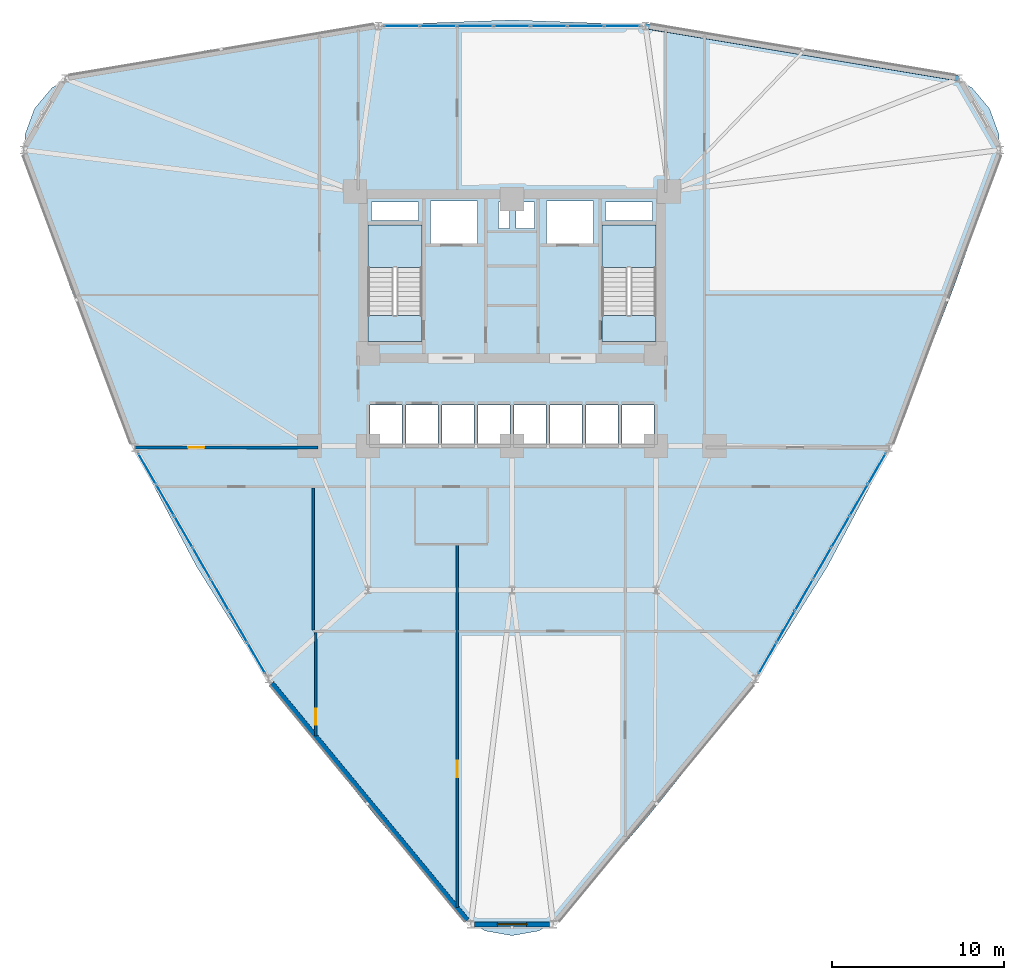
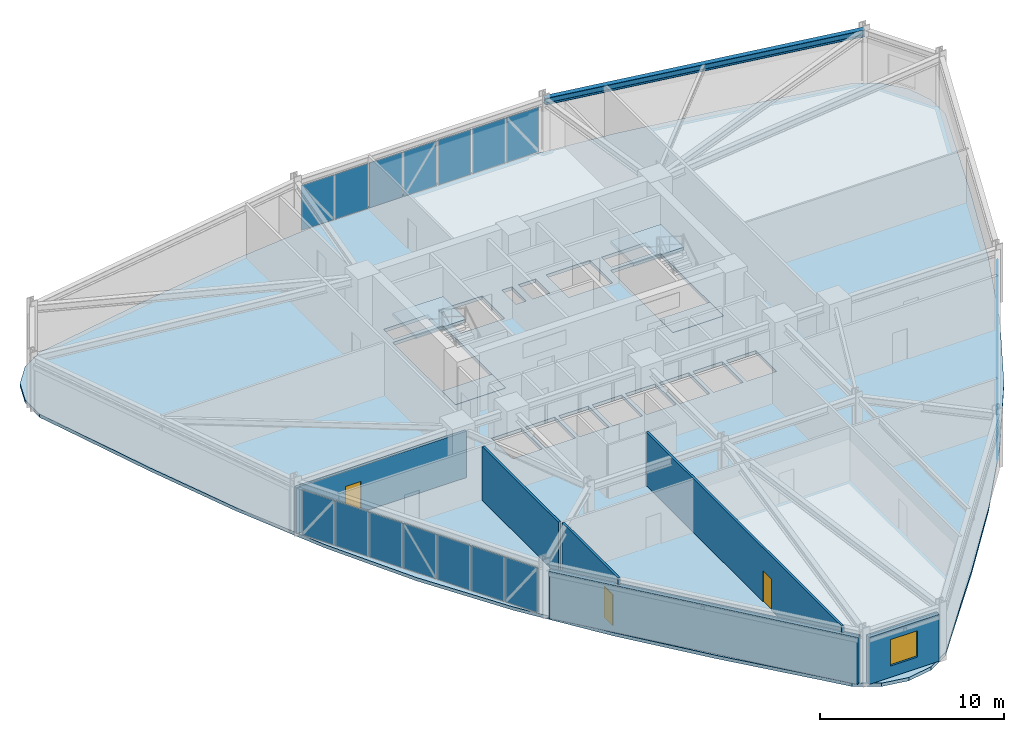
# One storey, part 15 of 22: 21 plates, 6 walls, 5 slabs, 3 doors, 1 beam, 1 window, 4 openings, 5 elements without a shape of their own.
"""IFC4 building model written with IfcOpenShell, lengths in metres."""

from ifc_helpers import new_model, si_unit, derived_unit, direction, frame, frame_2d, origin, origin_2d, place, context, subcontext, project, spatial, polyline, rectangle, i_section, outline, extrude, source, transform, mapped, material, layer, layer_set, material_profile, profile_set, type_object, element, fill, aggregate, save


model = new_model("IFC4")

# Units and contexts
model_context = context("Model", 3, precision=1e-05, world=origin(), true_north=direction((0.0, 1.0)))
body_context = subcontext(model_context, "Body", "Model", "MODEL_VIEW")
ifc_project = project(units=[si_unit("LENGTHUNIT", "METRE"), si_unit("AREAUNIT", "SQUARE_METRE"), si_unit("VOLUMEUNIT", "CUBIC_METRE"), si_unit("PLANEANGLEUNIT", "RADIAN"), si_unit("MASSUNIT", "GRAM", prefix="KILO"), derived_unit("THERMALTRANSMITTANCEUNIT", [(si_unit("POWERUNIT", "WATT"), 1), (si_unit("LENGTHUNIT", "METRE"), -2), (si_unit("THERMODYNAMICTEMPERATUREUNIT", "KELVIN"), -1)])], contexts=[model_context])

# Site, building, storey
site_placement = place(None, origin())
site = spatial("IfcSite", under=ifc_project, at=site_placement, CompositionType="ELEMENT")
building_placement = place(site_placement, origin())
building = spatial("IfcBuilding", under=site, at=building_placement, Name="Korsvarv Bourse and Concert Hall", CompositionType="ELEMENT")
storey_placement = place(building_placement, frame((0.0, 0.0, 55.199951171875)))
storey = spatial("IfcBuildingStorey", under=building, at=storey_placement, Name="L13", CompositionType="ELEMENT", Elevation=55.199951171875)

# Beam
ifc_material_1 = material(Name="Steel S355", Category="steel")
ifc_material_profile = material_profile(ifc_material_1, i_section(OverallWidth=0.300048828125, OverallDepth=0.449951171875, WebThickness=0.013916015625, FlangeThickness=0.02587890625, FilletRadius=0.02099609375, at=origin_2d()), Name="HEB 450")
ifc_profile_set = profile_set([ifc_material_profile], Name="Steel S355")
beam_type = type_object("IfcBeamType", Name="BM-HEB450", PredefinedType="SPANDREL", material=ifc_profile_set)
shared_shape_1 = source(origin(), body_context, "Body", "SweptSolid", [
    extrude(i_section(OverallWidth=0.300048828125, OverallDepth=0.449951171875, WebThickness=0.013916015625, FlangeThickness=0.02587890625, FilletRadius=0.02099609375, at=origin_2d()), origin(), (0.0, 0.0, 1.0), 18.538818359375),
])
beam_placement = place(storey_placement, frame((62.069091796875, 53.82861328125, 3.3349609375), z_axis=(-0.98627657502, 0.16510153714, 0.0), x_axis=(-0.16510153714, -0.98627657502, 0.0)))
element("IfcBeam", 1, at=beam_placement, inside=storey, type_object=beam_type, Name="L13 beam B-08", PredefinedType="SPANDREL", context=body_context, shape_type="MappedRepresentation", body=[
    mapped(shared_shape_1, transform((0.0, 0.0, 0.0), scale=1.0)),
])

# Slabs
ifc_material_2 = material(Name="Precast concrete C45/55", Category="concrete")
ifc_layer_1 = layer(ifc_material_2, 0.199951171875)
ifc_layer_set_1 = layer_set([ifc_layer_1], Name="Precast concrete C45/55")
slab_type_1 = type_object("IfcSlabType", Name="SLB-FLND-T", PredefinedType="LANDING", material=ifc_layer_set_1)
slab_1_placement = place(storey_placement, frame((0.0, 0.0, -0.199951171875)))
element("IfcSlab", 2, at=slab_1_placement, inside=storey, type_object=slab_type_1, Name="L13 Stair ST-T1 Floor Landing Slab", PredefinedType="LANDING", context=body_context, shape_type="SweptSolid", body=[
    extrude(outline(polyline([(30.760009765625, 38.5), (30.760009765625, 40.0), (27.60009765625, 40.0), (27.60009765625, 38.5), (30.760009765625, 38.5)])), origin(), (0.0, 0.0, 1.0), 0.199951171875),
])
slab_2_placement = place(storey_placement, frame((0.0, 0.0, -0.199951171875)))
element("IfcSlab", 3, at=slab_2_placement, inside=storey, type_object=slab_type_1, Name="L13 Stair ST-T2 Floor Landing Slab", PredefinedType="LANDING", context=body_context, shape_type="SweptSolid", body=[
    extrude(outline(polyline([(44.39990234375, 38.5), (44.39990234375, 40.0), (41.239990234375, 40.0), (41.239990234375, 38.5), (44.39990234375, 38.5)])), origin(), (0.0, 0.0, 1.0), 0.199951171875),
])

# Stair, slab
stair_type = type_object("IfcStairType", Name="STR-TYPE-03", PredefinedType="HALF_TURN_STAIR", material=ifc_material_2)
stair_1_placement = place(storey_placement, origin())
stair_1 = element("IfcStair", 4, at=stair_1_placement, inside=storey, type_object=stair_type, Name="L13 Tower West Exit Stair ST-T1", PredefinedType="HALF_TURN_STAIR")
ifc_layer_2 = layer(ifc_material_2, 0.199951171875)
ifc_layer_set_2 = layer_set([ifc_layer_2], Name="Precast concrete C45/55")
slab_type_2 = type_object("IfcSlabType", Name="SLB-ST-LND", PredefinedType="LANDING", material=ifc_layer_set_2)
slab_3_placement = place(storey_placement, frame((0.0, 0.0, 1.75)))
slab_3 = element("IfcSlab", 5, at=slab_3_placement, type_object=slab_type_2, Name="ST-T1 landing 1", PredefinedType="LANDING", context=body_context, shape_type="SweptSolid", body=[
    extrude(outline(polyline([(30.760009765625, 42.800048828125), (30.760009765625, 45.300048828125), (27.60009765625, 45.300048828125), (27.60009765625, 42.800048828125), (30.760009765625, 42.800048828125)])), origin(), (0.0, 0.0, 1.0), 0.199951171875),
])
aggregate(stair_1, [slab_3])

stair_2_placement = place(storey_placement, origin())
stair_2 = element("IfcStair", 6, at=stair_2_placement, inside=storey, type_object=stair_type, Name="L13 Tower East Exit Stair ST-T2", PredefinedType="HALF_TURN_STAIR")
slab_4_placement = place(storey_placement, frame((0.0, 0.0, 1.75)))
slab_4 = element("IfcSlab", 7, at=slab_4_placement, type_object=slab_type_2, Name="ST-T2 landing 1", PredefinedType="LANDING", context=body_context, shape_type="SweptSolid", body=[
    extrude(outline(polyline([(44.39990234375, 42.800048828125), (44.39990234375, 45.300048828125), (41.239990234375, 45.300048828125), (41.239990234375, 42.800048828125), (44.39990234375, 42.800048828125)])), origin(), (0.0, 0.0, 1.0), 0.199951171875),
])
aggregate(stair_2, [slab_4])

# Slab
ifc_material_3 = material(Name="Concrete C45/55", Category="concrete")
ifc_layer_3 = layer(ifc_material_3, 0.219970703125)
ifc_layer_set_3 = layer_set([ifc_layer_3], Name="Concrete C45/55")
slab_type_3 = type_object("IfcSlabType", Name="SLB-TW1", PredefinedType="FLOOR", material=ifc_layer_set_3)
slab_5_placement = place(storey_placement, frame((0.0, 0.0, -0.219970703125)))
element("IfcSlab", 8, at=slab_5_placement, inside=storey, type_object=slab_type_3, Name="L13 tower structural floor slab", PredefinedType="FLOOR", context=body_context, shape_type="SweptSolid", body=[
    extrude(outline(polyline([(63.784912109375, 47.35888671875), (61.7548828125, 41.6484375), (59.58837890625, 36.04248046875), (57.162841796875, 30.6064453125), (54.39501953125, 25.379638671875), (51.25244140625, 20.369140625), (47.757568359375, 15.550537109375), (43.985595703125, 10.871337890625), (40.05517578125, 6.258056640625), (40.05078125, 6.253173828125), (38.9326171875, 4.92041015625), (37.560546875, 4.128173828125), (36.0, 3.85302734375), (34.439453125, 4.128173828125), (33.0673828125, 4.92041015625), (31.94921875, 6.253173828125), (31.94482421875, 6.258056640625), (28.014404296875, 10.871337890625), (24.242431640625, 15.550537109375), (20.74755859375, 20.369140625), (17.60498046875, 25.379638671875), (14.837158203125, 30.6064453125), (12.41162109375, 36.04248046875), (10.2451171875, 41.6484375), (8.215087890625, 47.35888671875), (8.212890625, 47.365234375), (7.617919921875, 49.0), (7.617919921875, 50.58447265625), (8.159912109375, 52.073486328125), (9.178466796875, 53.287353515625), (10.550537109375, 54.07958984375), (12.263916015625, 54.381591796875), (12.270263671875, 54.3828125), (18.230712890625, 55.480224609375), (24.169189453125, 56.406982421875), (30.089599609375, 57.0244140625), (36.0, 57.24072265625), (41.910400390625, 57.0244140625), (47.830810546875, 56.406982421875), (53.769287109375, 55.480224609375), (59.729736328125, 54.3828125), (59.736083984375, 54.381591796875), (61.449462890625, 54.07958984375), (62.821533203125, 53.287353515625), (63.840087890625, 52.073486328125), (64.382080078125, 50.58447265625), (64.382080078125, 49.0), (63.787109375, 47.365234375), (63.784912109375, 47.35888671875)]), holes=[polyline([(30.760009765625, 38.5), (30.760009765625, 45.300048828125), (27.60009765625, 45.300048828125), (27.60009765625, 38.5), (30.760009765625, 38.5)]), polyline([(44.39990234375, 38.5), (44.39990234375, 45.300048828125), (41.239990234375, 45.300048828125), (41.239990234375, 38.5), (44.39990234375, 38.5)]), polyline([(31.239990234375, 44.219970703125), (34.0, 44.219970703125), (34.0, 46.679931640625), (31.239990234375, 46.679931640625), (31.239990234375, 44.219970703125)]), polyline([(38.0, 44.219970703125), (40.760009765625, 44.219970703125), (40.760009765625, 46.679931640625), (38.0, 46.679931640625), (38.0, 44.219970703125)]), polyline([(27.719970703125, 32.52001953125), (29.580078125, 32.52001953125), (29.580078125, 34.780029296875), (27.719970703125, 34.780029296875), (27.719970703125, 32.52001953125)]), polyline([(29.820068359375, 32.52001953125), (31.679931640625, 32.52001953125), (31.679931640625, 34.780029296875), (29.820068359375, 34.780029296875), (29.820068359375, 32.52001953125)]), polyline([(31.919921875, 32.52001953125), (33.780029296875, 32.52001953125), (33.780029296875, 34.780029296875), (31.919921875, 34.780029296875), (31.919921875, 32.52001953125)]), polyline([(34.02001953125, 32.52001953125), (35.8798828125, 32.52001953125), (35.8798828125, 34.780029296875), (34.02001953125, 34.780029296875), (34.02001953125, 32.52001953125)]), polyline([(36.1201171875, 32.52001953125), (37.97998046875, 32.52001953125), (37.97998046875, 34.780029296875), (36.1201171875, 34.780029296875), (36.1201171875, 32.52001953125)]), polyline([(38.219970703125, 32.52001953125), (40.080078125, 32.52001953125), (40.080078125, 34.780029296875), (38.219970703125, 34.780029296875), (38.219970703125, 32.52001953125)]), polyline([(40.320068359375, 32.52001953125), (42.179931640625, 32.52001953125), (42.179931640625, 34.780029296875), (40.320068359375, 34.780029296875), (40.320068359375, 32.52001953125)]), polyline([(42.419921875, 32.52001953125), (44.280029296875, 32.52001953125), (44.280029296875, 34.780029296875), (42.419921875, 34.780029296875), (42.419921875, 32.52001953125)]), polyline([(27.800048828125, 45.56005859375), (30.56005859375, 45.56005859375), (30.56005859375, 46.6201171875), (27.800048828125, 46.6201171875), (27.800048828125, 45.56005859375)]), polyline([(41.43994140625, 45.56005859375), (44.199951171875, 45.56005859375), (44.199951171875, 46.6201171875), (41.43994140625, 46.6201171875), (41.43994140625, 45.56005859375)]), polyline([(35.199951171875, 45.080078125), (35.840087890625, 45.080078125), (35.840087890625, 46.6201171875), (35.199951171875, 46.6201171875), (35.199951171875, 45.080078125)]), polyline([(36.239990234375, 45.080078125), (37.320068359375, 45.080078125), (37.320068359375, 46.6201171875), (36.239990234375, 46.6201171875), (36.239990234375, 45.080078125)])]), origin(), (0.0, 0.0, 1.0), 0.219970703125),
])

# Curtain wall, plates
ifc_material_4 = material(Name="Anodised aluminium and triple low-E glazing", Category="glass")
ifc_layer_4 = layer(ifc_material_4, 0.219970703125)
ifc_layer_set_4 = layer_set([ifc_layer_4], Name="Anodised aluminium and triple low-E glazing")
curtain_wall_type = type_object("IfcCurtainWallType", Name="CW-SYS-1", PredefinedType="NOTDEFINED", material=ifc_layer_set_4)
curtain_wall_1_placement = place(storey_placement, origin())
curtain_wall_1 = element("IfcCurtainWall", 9, at=curtain_wall_1_placement, inside=storey, type_object=curtain_wall_type, Name="L13 CW1 curtain wall CW-L13-F03", PredefinedType="NOTDEFINED")
ifc_material_5 = material(Name="Insulated spandrel glass", Category="glass")
ifc_layer_5 = layer(ifc_material_5, 0.031982421875)
ifc_layer_set_5 = layer_set([ifc_layer_5], Name="Insulated spandrel glass")
plate_type_1 = type_object("IfcPlateType", Name="CWP-SPD1", PredefinedType="CURTAIN_PANEL", material=ifc_layer_set_5)
shared_shape_2 = source(origin(), body_context, "Body", "SweptSolid", [
    extrude(rectangle(XDim=2.04443359375, YDim=0.031982421875, at=origin_2d()), origin(), (0.0, 0.0, 1.0), 2.97998046875),
])
plate_1_placement = place(storey_placement, frame((42.430419921875, 56.889404296875, 0.06494140625), z_axis=(0.0, 0.0, 1.0), x_axis=(-1.0, 0.0, 0.0)))
plate_1 = element("IfcPlate", 10, at=plate_1_placement, type_object=plate_type_1, Name="CW1 spandrel shadow-box panel 1.1", PredefinedType="CURTAIN_PANEL", context=body_context, shape_type="MappedRepresentation", body=[
    mapped(shared_shape_2, transform((0.0, 0.0, 0.0), scale=1.0)),
])
plate_2_placement = place(storey_placement, frame((29.569580078125, 56.889404296875, 0.06494140625), z_axis=(0.0, 0.0, 1.0), x_axis=(-1.0, 0.0, 0.0)))
plate_2 = element("IfcPlate", 11, at=plate_2_placement, type_object=plate_type_1, Name="CW1 spandrel shadow-box panel 7.1", PredefinedType="CURTAIN_PANEL", context=body_context, shape_type="MappedRepresentation", body=[
    mapped(shared_shape_2, transform((0.0, 0.0, 0.0), scale=1.0)),
])
ifc_material_6 = material(Name="Tempered triple insulated low-E architectural glass", Category="glass")
ifc_layer_6 = layer(ifc_material_6, 0.035888671875)
ifc_layer_set_6 = layer_set([ifc_layer_6], Name="Tempered triple insulated low-E architectural glass")
plate_type_2 = type_object("IfcPlateType", Name="CWP-VIS1", PredefinedType="CURTAIN_PANEL", material=ifc_layer_set_6)
shared_shape_3 = source(origin(), body_context, "Body", "SweptSolid", [
    extrude(rectangle(XDim=2.079345703125, YDim=0.035888671875, at=origin_2d()), origin(), (0.0, 0.0, 1.0), 2.97998046875),
])
plate_3_placement = place(storey_placement, frame((40.298583984375, 56.889404296875, 0.06494140625), z_axis=(0.0, 0.0, 1.0), x_axis=(-1.0, 0.0, 0.0)))
plate_3 = element("IfcPlate", 12, at=plate_3_placement, type_object=plate_type_2, Name="CW1 faceted panel 2.1", PredefinedType="CURTAIN_PANEL", context=body_context, shape_type="MappedRepresentation", body=[
    mapped(shared_shape_3, transform((0.0, 0.0, 0.0), scale=1.0)),
])
plate_4_placement = place(storey_placement, frame((38.1494140625, 56.889404296875, 0.06494140625), z_axis=(0.0, 0.0, 1.0), x_axis=(-1.0, 0.0, 0.0)))
plate_4 = element("IfcPlate", 13, at=plate_4_placement, type_object=plate_type_2, Name="CW1 faceted panel 3.1", PredefinedType="CURTAIN_PANEL", context=body_context, shape_type="MappedRepresentation", body=[
    mapped(shared_shape_3, transform((0.0, 0.0, 0.0), scale=1.0)),
])
plate_5_placement = place(storey_placement, frame((33.8505859375, 56.889404296875, 0.06494140625), z_axis=(0.0, 0.0, 1.0), x_axis=(-1.0, 0.0, 0.0)))
plate_5 = element("IfcPlate", 14, at=plate_5_placement, type_object=plate_type_2, Name="CW1 faceted panel 5.1", PredefinedType="CURTAIN_PANEL", context=body_context, shape_type="MappedRepresentation", body=[
    mapped(shared_shape_3, transform((0.0, 0.0, 0.0), scale=1.0)),
])
plate_6_placement = place(storey_placement, frame((31.701416015625, 56.889404296875, 0.06494140625), z_axis=(0.0, 0.0, 1.0), x_axis=(-1.0, 0.0, 0.0)))
plate_6 = element("IfcPlate", 15, at=plate_6_placement, type_object=plate_type_2, Name="CW1 faceted panel 6.1", PredefinedType="CURTAIN_PANEL", context=body_context, shape_type="MappedRepresentation", body=[
    mapped(shared_shape_3, transform((0.0, 0.0, 0.0), scale=1.0)),
])
shared_shape_4 = source(origin(), body_context, "Body", "SweptSolid", [
    extrude(rectangle(XDim=2.079345703125, YDim=0.031982421875, at=origin_2d()), origin(), (0.0, 0.0, 1.0), 2.97998046875),
])
plate_7_placement = place(storey_placement, frame((36.0, 56.889404296875, 0.06494140625), z_axis=(0.0, 0.0, 1.0), x_axis=(-1.0, 0.0, 0.0)))
plate_7 = element("IfcPlate", 16, at=plate_7_placement, type_object=plate_type_1, Name="CW1 spandrel shadow-box panel 4.1", PredefinedType="CURTAIN_PANEL", context=body_context, shape_type="MappedRepresentation", body=[
    mapped(shared_shape_4, transform((0.0, 0.0, 0.0), scale=1.0)),
])
aggregate(curtain_wall_1, [plate_1, plate_3, plate_4, plate_7, plate_5, plate_6, plate_2])

curtain_wall_2_placement = place(storey_placement, origin())
curtain_wall_2 = element("IfcCurtainWall", 17, at=curtain_wall_2_placement, inside=storey, type_object=curtain_wall_type, Name="L13 CW1 curtain wall CW-L13-F07", PredefinedType="NOTDEFINED")
shared_shape_5 = source(origin(), body_context, "Body", "SweptSolid", [
    extrude(rectangle(XDim=2.0244140625, YDim=0.031982421875, at=origin_2d()), origin(), (0.0, 0.0, 1.0), 2.97998046875),
])
plate_8_placement = place(storey_placement, frame((14.7236328125, 31.07275390625, 0.06494140625), z_axis=(0.0, 0.0, 1.0), x_axis=(0.499999833962, -0.866025499647, 0.0)))
plate_8 = element("IfcPlate", 18, at=plate_8_placement, type_object=plate_type_1, Name="CW1 spandrel shadow-box panel 1.1", PredefinedType="CURTAIN_PANEL", context=body_context, shape_type="MappedRepresentation", body=[
    mapped(shared_shape_5, transform((0.0, 0.0, 0.0), scale=1.0)),
])
plate_9_placement = place(storey_placement, frame((21.0947265625, 20.037841796875, 0.06494140625), z_axis=(0.0, 0.0, 1.0), x_axis=(0.499999833962, -0.866025499647, 0.0)))
plate_9 = element("IfcPlate", 19, at=plate_9_placement, type_object=plate_type_1, Name="CW1 spandrel shadow-box panel 7.1", PredefinedType="CURTAIN_PANEL", context=body_context, shape_type="MappedRepresentation", body=[
    mapped(shared_shape_5, transform((0.0, 0.0, 0.0), scale=1.0)),
])

curtain_wall_3_placement = place(storey_placement, origin())
curtain_wall_3 = element("IfcCurtainWall", 20, at=curtain_wall_3_placement, inside=storey, type_object=curtain_wall_type, Name="L13 CW1 curtain wall CW-L13-F11", PredefinedType="NOTDEFINED")
plate_10_placement = place(storey_placement, frame((50.9052734375, 20.037841796875, 0.06494140625), z_axis=(0.0, 0.0, 1.0), x_axis=(0.499999833962, 0.866025499647, 0.0)))
plate_10 = element("IfcPlate", 21, at=plate_10_placement, type_object=plate_type_1, Name="CW1 spandrel shadow-box panel 1.1", PredefinedType="CURTAIN_PANEL", context=body_context, shape_type="MappedRepresentation", body=[
    mapped(shared_shape_5, transform((0.0, 0.0, 0.0), scale=1.0)),
])
plate_11_placement = place(storey_placement, frame((57.2763671875, 31.07275390625, 0.06494140625), z_axis=(0.0, 0.0, 1.0), x_axis=(0.499999833962, 0.866025499647, 0.0)))
plate_11 = element("IfcPlate", 22, at=plate_11_placement, type_object=plate_type_1, Name="CW1 spandrel shadow-box panel 7.1", PredefinedType="CURTAIN_PANEL", context=body_context, shape_type="MappedRepresentation", body=[
    mapped(shared_shape_5, transform((0.0, 0.0, 0.0), scale=1.0)),
])

# Plate
shared_shape_6 = source(origin(), body_context, "Body", "SweptSolid", [
    extrude(rectangle(XDim=2.0595703125, YDim=0.035888671875, at=origin_2d()), origin(), (0.0, 0.0, 1.0), 2.97998046875),
])
plate_12_placement = place(storey_placement, frame((15.779541015625, 29.24365234375, 0.06494140625), z_axis=(0.0, 0.0, 1.0), x_axis=(0.499999833962, -0.866025499647, 0.0)))
plate_12 = element("IfcPlate", 23, at=plate_12_placement, type_object=plate_type_2, Name="CW1 faceted panel 2.1", PredefinedType="CURTAIN_PANEL", context=body_context, shape_type="MappedRepresentation", body=[
    mapped(shared_shape_6, transform((0.0, 0.0, 0.0), scale=1.0)),
])

plate_13_placement = place(storey_placement, frame((16.844482421875, 27.3994140625, 0.06494140625), z_axis=(0.0, 0.0, 1.0), x_axis=(0.499999833962, -0.866025499647, 0.0)))
plate_13 = element("IfcPlate", 24, at=plate_13_placement, type_object=plate_type_2, Name="CW1 faceted panel 3.1", PredefinedType="CURTAIN_PANEL", context=body_context, shape_type="MappedRepresentation", body=[
    mapped(shared_shape_6, transform((0.0, 0.0, 0.0), scale=1.0)),
])

plate_14_placement = place(storey_placement, frame((18.973876953125, 23.7109375, 0.06494140625), z_axis=(0.0, 0.0, 1.0), x_axis=(0.499999833962, -0.866025499647, 0.0)))
plate_14 = element("IfcPlate", 25, at=plate_14_placement, type_object=plate_type_2, Name="CW1 faceted panel 5.1", PredefinedType="CURTAIN_PANEL", context=body_context, shape_type="MappedRepresentation", body=[
    mapped(shared_shape_6, transform((0.0, 0.0, 0.0), scale=1.0)),
])

plate_15_placement = place(storey_placement, frame((20.03857421875, 21.866943359375, 0.06494140625), z_axis=(0.0, 0.0, 1.0), x_axis=(0.499999833962, -0.866025499647, 0.0)))
plate_15 = element("IfcPlate", 26, at=plate_15_placement, type_object=plate_type_2, Name="CW1 faceted panel 6.1", PredefinedType="CURTAIN_PANEL", context=body_context, shape_type="MappedRepresentation", body=[
    mapped(shared_shape_6, transform((0.0, 0.0, 0.0), scale=1.0)),
])

plate_16_placement = place(storey_placement, frame((51.96142578125, 21.866943359375, 0.06494140625), z_axis=(0.0, 0.0, 1.0), x_axis=(0.499999833962, 0.866025499647, 0.0)))
plate_16 = element("IfcPlate", 27, at=plate_16_placement, type_object=plate_type_2, Name="CW1 faceted panel 2.1", PredefinedType="CURTAIN_PANEL", context=body_context, shape_type="MappedRepresentation", body=[
    mapped(shared_shape_6, transform((0.0, 0.0, 0.0), scale=1.0)),
])

plate_17_placement = place(storey_placement, frame((53.026123046875, 23.7109375, 0.06494140625), z_axis=(0.0, 0.0, 1.0), x_axis=(0.499999833962, 0.866025499647, 0.0)))
plate_17 = element("IfcPlate", 28, at=plate_17_placement, type_object=plate_type_2, Name="CW1 faceted panel 3.1", PredefinedType="CURTAIN_PANEL", context=body_context, shape_type="MappedRepresentation", body=[
    mapped(shared_shape_6, transform((0.0, 0.0, 0.0), scale=1.0)),
])

plate_18_placement = place(storey_placement, frame((55.155517578125, 27.3994140625, 0.06494140625), z_axis=(0.0, 0.0, 1.0), x_axis=(0.499999833962, 0.866025499647, 0.0)))
plate_18 = element("IfcPlate", 29, at=plate_18_placement, type_object=plate_type_2, Name="CW1 faceted panel 5.1", PredefinedType="CURTAIN_PANEL", context=body_context, shape_type="MappedRepresentation", body=[
    mapped(shared_shape_6, transform((0.0, 0.0, 0.0), scale=1.0)),
])

plate_19_placement = place(storey_placement, frame((56.220458984375, 29.24365234375, 0.06494140625), z_axis=(0.0, 0.0, 1.0), x_axis=(0.499999833962, 0.866025499647, 0.0)))
plate_19 = element("IfcPlate", 30, at=plate_19_placement, type_object=plate_type_2, Name="CW1 faceted panel 6.1", PredefinedType="CURTAIN_PANEL", context=body_context, shape_type="MappedRepresentation", body=[
    mapped(shared_shape_6, transform((0.0, 0.0, 0.0), scale=1.0)),
])

shared_shape_7 = source(origin(), body_context, "Body", "SweptSolid", [
    extrude(rectangle(XDim=2.0595703125, YDim=0.031982421875, at=origin_2d()), origin(), (0.0, 0.0, 1.0), 2.97998046875),
])
plate_20_placement = place(storey_placement, frame((17.9091796875, 25.55517578125, 0.06494140625), z_axis=(0.0, 0.0, 1.0), x_axis=(0.499999833962, -0.866025499647, 0.0)))
plate_20 = element("IfcPlate", 31, at=plate_20_placement, type_object=plate_type_1, Name="CW1 spandrel shadow-box panel 4.1", PredefinedType="CURTAIN_PANEL", context=body_context, shape_type="MappedRepresentation", body=[
    mapped(shared_shape_7, transform((0.0, 0.0, 0.0), scale=1.0)),
])

aggregate(curtain_wall_2, [plate_8, plate_12, plate_13, plate_20, plate_14, plate_15, plate_9])

plate_21_placement = place(storey_placement, frame((54.0908203125, 25.55517578125, 0.06494140625), z_axis=(0.0, 0.0, 1.0), x_axis=(0.499999833962, 0.866025499647, 0.0)))
plate_21 = element("IfcPlate", 32, at=plate_21_placement, type_object=plate_type_1, Name="CW1 spandrel shadow-box panel 4.1", PredefinedType="CURTAIN_PANEL", context=body_context, shape_type="MappedRepresentation", body=[
    mapped(shared_shape_7, transform((0.0, 0.0, 0.0), scale=1.0)),
])

aggregate(curtain_wall_3, [plate_10, plate_16, plate_17, plate_21, plate_18, plate_19, plate_11])

# Wall, opening, window
ifc_material_7 = material(Name="Precast concrete C45/55 with terracotta rainscreen", Category="concrete")
ifc_layer_7 = layer(ifc_material_7, 0.300048828125)
ifc_layer_set_7 = layer_set([ifc_layer_7], Name="Precast concrete C45/55 with terracotta rainscreen")
wall_type_1 = type_object("IfcWallType", Name="WL-EXT-TC1", PredefinedType="SOLIDWALL", material=ifc_layer_set_7)
wall_1_placement = place(storey_placement, frame((33.811767578125, 4.509033203125, 0.0), z_axis=(0.0, 0.0, 1.0), x_axis=(1.0, 0.0, 0.0)))
wall_1 = element("IfcWall", 33, at=wall_1_placement, inside=storey, type_object=wall_type_1, Name="L13 terracotta exterior wall EW-L13-B09", PredefinedType="SOLIDWALL", context=body_context, shape_type="SweptSolid", body=[
    extrude(rectangle(XDim=4.37646484375, YDim=0.300048828125, at=frame_2d((2.188232421875, 0.0))), origin(), (0.0, 0.0, 1.0), 3.110107421875),
])
opening_1_placement = place(wall_1_placement, frame((1.33837890625, 0.0, 0.75)))
opening_1 = element("IfcOpeningElement", 34, at=opening_1_placement, cuts=wall_1, Name="Opening W-01", PredefinedType="OPENING", context=body_context, shape_type="SweptSolid", body=[
    extrude(rectangle(XDim=1.699951171875, YDim=1.75, at=frame_2d((0.85009765625, 0.875))), frame((0.0, 0.16015625, 0.0), z_axis=(0.0, -1.0, 0.0), x_axis=(1.0, 0.0, 0.0)), (0.0, 0.0, 1.0), 0.320068359375),
])
ifc_material_8 = material(Name="Thermally broken aluminium frame with triple low-E glass", Category="glass")
window_type = type_object("IfcWindowType", Name="WIN-TW1", PartitioningType="SINGLE_PANEL", PredefinedType="WINDOW", material=ifc_material_8)
window_placement = place(opening_1_placement, origin())
window = element("IfcWindow", 35, at=window_placement, inside=storey, type_object=window_type, Name="L13 punched facade window W-01", OverallHeight=1.75, OverallWidth=1.699951171875, PartitioningType="SINGLE_PANEL", PredefinedType="WINDOW", context=body_context, shape_type="SweptSolid", body=[
    extrude(rectangle(XDim=1.699951171875, YDim=1.75, at=frame_2d((0.85009765625, 0.875))), frame((0.0, 0.030029296875, 0.0), z_axis=(0.0, -1.0, 0.0), x_axis=(1.0, 0.0, 0.0)), (0.0, 0.0, 1.0), 0.06005859375),
])
fill(opening_1, window)

# Wall
ifc_material_9 = material(Name="Precast concrete C45/55 with fluted terracotta pier", Category="concrete")
ifc_layer_8 = layer(ifc_material_9, 0.280029296875)
ifc_layer_set_8 = layer_set([ifc_layer_8], Name="Precast concrete C45/55 with fluted terracotta pier")
wall_type_2 = type_object("IfcWallType", Name="WL-EXT-TC2", PredefinedType="SOLIDWALL", material=ifc_layer_set_8)
wall_2_placement = place(storey_placement, frame((22.0009765625, 18.571533203125, 0.0), z_axis=(0.0, 0.0, 1.0), x_axis=(0.636134749951, -0.771577980443, 0.0)))
element("IfcWall", 36, at=wall_2_placement, inside=storey, type_object=wall_type_2, Name="L13 terracotta exterior wall EW-L13-B08", PredefinedType="SOLIDWALL", context=body_context, shape_type="SweptSolid", body=[
    extrude(rectangle(XDim=17.911865234375, YDim=0.280029296875, at=frame_2d((8.9560546875, 0.0))), origin(), (0.0, 0.0, 1.0), 3.110107421875),
])

# Wall, opening, door
ifc_material_10 = material(Name="Double-stud fire-rated acoustic partition", Category="gypsum")
ifc_layer_9 = layer(ifc_material_10, 0.159912109375)
ifc_layer_set_9 = layer_set([ifc_layer_9], Name="Double-stud fire-rated acoustic partition")
wall_type_3 = type_object("IfcWallType", Name="WL-INT-EI60", PredefinedType="PARTITIONING", material=ifc_layer_set_9)
wall_3_placement = place(storey_placement, frame((14.030029296875, 32.31494140625, 0.0), z_axis=(0.0, 0.0, 1.0), x_axis=(1.0, 0.0, 0.0)))
wall_3 = element("IfcWall", 37, at=wall_3_placement, inside=storey, type_object=wall_type_3, Name="L13 interior partition wall W-L13-TCOR-04", PredefinedType="PARTITIONING", context=body_context, shape_type="SweptSolid", body=[
    extrude(rectangle(XDim=10.6630859375, YDim=0.159912109375, at=frame_2d((5.33154296875, 0.0))), origin(), (0.0, 0.0, 1.0), 3.06005859375),
])
opening_2_placement = place(wall_3_placement, frame((3.080078125, 0.0, 0.0)))
opening_2 = element("IfcOpeningElement", 38, at=opening_2_placement, cuts=wall_3, Name="Opening D-02", PredefinedType="OPENING", context=body_context, shape_type="SweptSolid", body=[
    extrude(rectangle(XDim=0.949951171875, YDim=2.050048828125, at=frame_2d((0.47509765625, 1.02490234375))), frame((0.0, 0.08984375, 0.0), z_axis=(0.0, -1.0, 0.0), x_axis=(1.0, 0.0, 0.0)), (0.0, 0.0, 1.0), 0.179931640625),
])
ifc_material_11 = material(Name="Timber and steel acoustic fire door", Category="wood")
door_type_1 = type_object("IfcDoorType", Name="DR-FD30", OperationType="NOTDEFINED", PredefinedType="DOOR", material=ifc_material_11)
door_1_placement = place(opening_2_placement, origin())
door_1 = element("IfcDoor", 39, at=door_1_placement, inside=storey, type_object=door_type_1, Name="L13 interior door DR-L13-TCOR-MF712", OperationType="SINGLE_SWING_LEFT", OverallHeight=2.050048828125, OverallWidth=0.949951171875, PredefinedType="DOOR", context=body_context, shape_type="SweptSolid", body=[
    extrude(rectangle(XDim=0.949951171875, YDim=2.050048828125, at=frame_2d((0.47509765625, 1.02490234375))), frame((0.0, 0.02490234375, 0.0), z_axis=(0.0, -1.0, 0.0), x_axis=(1.0, 0.0, 0.0)), (0.0, 0.0, 1.0), 0.050048828125),
])
fill(opening_2, door_1)

ifc_material_12 = material(Name="Insulated steel-stud office acoustic partition", Category="gypsum")
ifc_layer_10 = layer(ifc_material_12, 0.139892578125)
ifc_layer_set_10 = layer_set([ifc_layer_10], Name="Insulated steel-stud office acoustic partition")
wall_type_4 = type_object("IfcWallType", Name="WL-INT-P1", PredefinedType="PARTITIONING", material=ifc_layer_set_10)
wall_4_placement = place(storey_placement, frame((32.804931640625, 5.487060546875, 0.0), z_axis=(0.0, 0.0, 1.0), x_axis=(0.0, 1.0, 0.0)))
wall_4 = element("IfcWall", 40, at=wall_4_placement, inside=storey, type_object=wall_type_4, Name="L13 interior partition wall W-L13-TCOR-09", PredefinedType="PARTITIONING", context=body_context, shape_type="SweptSolid", body=[
    extrude(rectangle(XDim=21.202880859375, YDim=0.139892578125, at=frame_2d((10.6015625, 0.0))), origin(), (0.0, 0.0, 1.0), 3.56005859375),
])
opening_3_placement = place(wall_4_placement, frame((7.599609375, 0.0, 0.0)))
opening_3 = element("IfcOpeningElement", 41, at=opening_3_placement, cuts=wall_4, Name="Opening D-03", PredefinedType="OPENING", context=body_context, shape_type="SweptSolid", body=[
    extrude(rectangle(XDim=0.949951171875, YDim=2.050048828125, at=frame_2d((0.47509765625, 1.02490234375))), frame((0.0, 0.080078125, 0.0), z_axis=(0.0, -1.0, 0.0), x_axis=(1.0, 0.0, 0.0)), (0.0, 0.0, 1.0), 0.159912109375),
])
ifc_material_13 = material(Name="Nordic oak acoustic office door", Category="wood")
door_type_2 = type_object("IfcDoorType", Name="DR-INT-1", OperationType="NOTDEFINED", PredefinedType="DOOR", material=ifc_material_13)
door_2_placement = place(opening_3_placement, origin())
door_2 = element("IfcDoor", 42, at=door_2_placement, inside=storey, type_object=door_type_2, Name="L13 interior door DR-L13-TCOR-MF66", OperationType="SINGLE_SWING_RIGHT", OverallHeight=2.050048828125, OverallWidth=0.949951171875, PredefinedType="DOOR", context=body_context, shape_type="SweptSolid", body=[
    extrude(rectangle(XDim=0.949951171875, YDim=2.050048828125, at=frame_2d((0.47509765625, 1.02490234375))), frame((0.0, 0.02490234375, 0.0), z_axis=(0.0, -1.0, 0.0), x_axis=(1.0, 0.0, 0.0)), (0.0, 0.0, 1.0), 0.050048828125),
])
fill(opening_3, door_2)

# Wall
wall_5_placement = place(storey_placement, frame((24.405029296875, 21.677001953125, 0.0), z_axis=(0.0, 0.0, 1.0), x_axis=(0.0, 1.0, 0.0)))
element("IfcWall", 43, at=wall_5_placement, inside=storey, type_object=wall_type_4, Name="L13 interior partition wall W-L13-TCOR-14", PredefinedType="PARTITIONING", context=body_context, shape_type="SweptSolid", body=[
    extrude(rectangle(XDim=8.26611328125, YDim=0.139892578125, at=frame_2d((4.133056640625, 0.0))), origin(), (0.0, 0.0, 1.0), 3.56005859375),
])

# Wall, opening, door
wall_6_placement = place(storey_placement, frame((24.56494140625, 15.481689453125, 0.0), z_axis=(0.0, 0.0, 1.0), x_axis=(0.0, 1.0, 0.0)))
wall_6 = element("IfcWall", 44, at=wall_6_placement, inside=storey, type_object=wall_type_4, Name="L13 interior partition wall W-L13-TCOR-15", PredefinedType="PARTITIONING", context=body_context, shape_type="SweptSolid", body=[
    extrude(rectangle(XDim=6.05126953125, YDim=0.139892578125, at=frame_2d((3.025634765625, 0.0))), origin(), (0.0, 0.0, 1.0), 3.56005859375),
])
opening_4_placement = place(wall_6_placement, frame((0.656494140625, 0.0, 0.0)))
opening_4 = element("IfcOpeningElement", 45, at=opening_4_placement, cuts=wall_6, Name="Opening D-03", PredefinedType="OPENING", context=body_context, shape_type="SweptSolid", body=[
    extrude(rectangle(XDim=0.949951171875, YDim=2.050048828125, at=frame_2d((0.47509765625, 1.02490234375))), frame((0.0, 0.080078125, 0.0), z_axis=(0.0, -1.0, 0.0), x_axis=(1.0, 0.0, 0.0)), (0.0, 0.0, 1.0), 0.159912109375),
])
door_3_placement = place(opening_4_placement, frame((0.949951171875, 0.0, 0.0), z_axis=(0.0, 0.0, 1.0), x_axis=(-1.0, 0.0, 0.0)))
door_3 = element("IfcDoor", 46, at=door_3_placement, inside=storey, type_object=door_type_2, Name="L13 interior door DR-L13-TCOR-MF54", OperationType="SINGLE_SWING_LEFT", OverallHeight=2.050048828125, OverallWidth=0.949951171875, PredefinedType="DOOR", context=body_context, shape_type="SweptSolid", body=[
    extrude(rectangle(XDim=0.949951171875, YDim=2.050048828125, at=frame_2d((0.47509765625, 1.02490234375))), frame((0.0, 0.02490234375, 0.0), z_axis=(0.0, -1.0, 0.0), x_axis=(1.0, 0.0, 0.0)), (0.0, 0.0, 1.0), 0.050048828125),
])
fill(opening_4, door_3)

save(model, "model.ifc")
